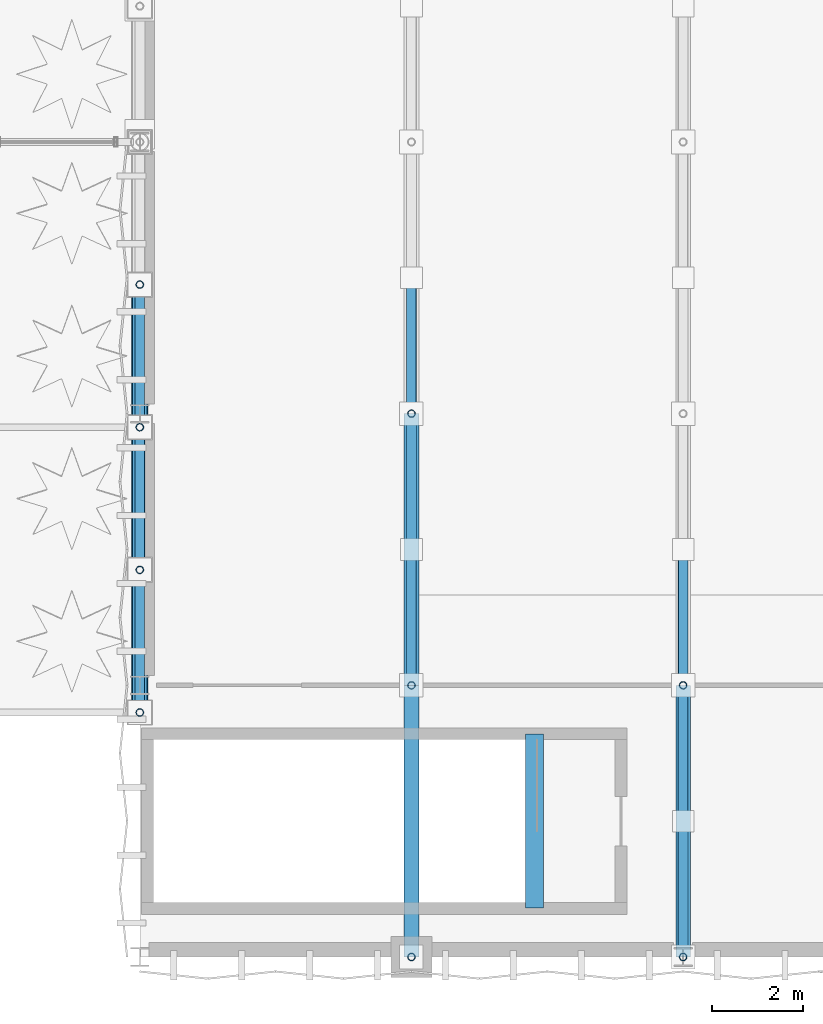
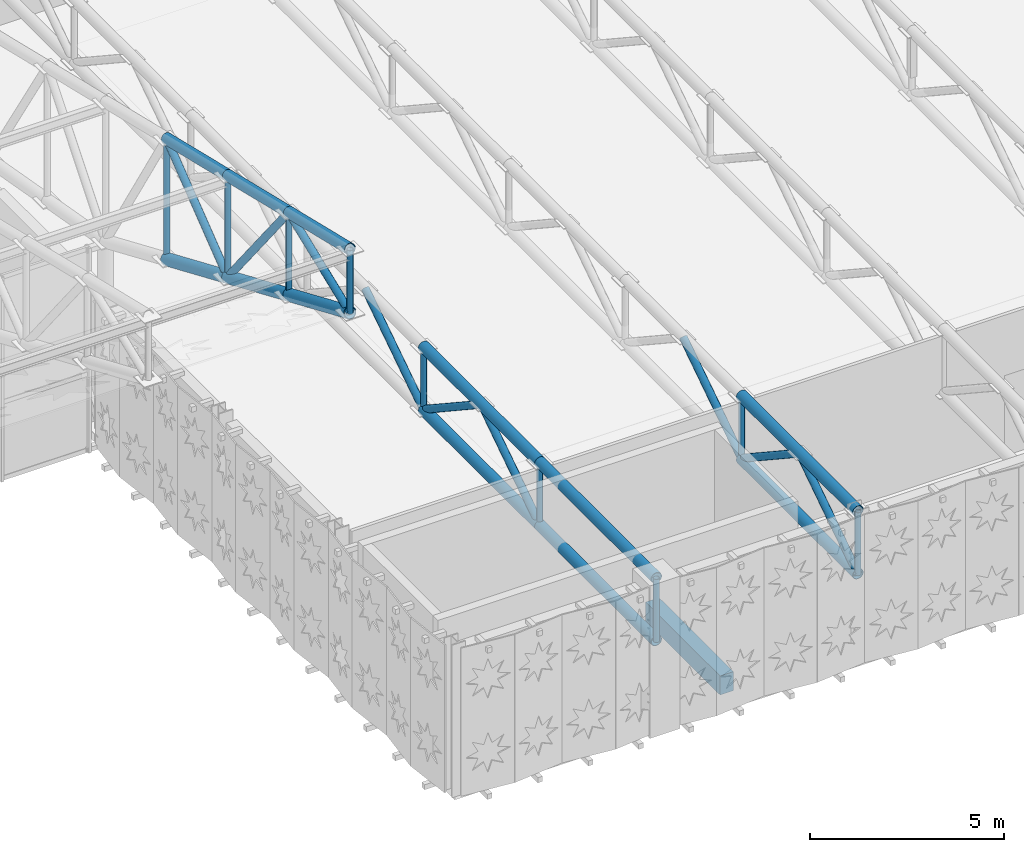
# One storey, part 22 of 123: 30 members, 1 beam.
"""IFC4 building model written with IfcOpenShell, lengths in metres."""

from ifc_helpers import new_model, si_unit, direction, frame, origin, origin_2d, place, context, subcontext, project, spatial, rectangle, hollow_circle, extrude, material, material_profile, profile_set, type_object, element, save


model = new_model("IFC4")

# Units and contexts
model_context = context("Model", 3, precision=1e-05, world=origin(), true_north=direction((0.0, 1.0)))
body_context = subcontext(model_context, "Body", "Model", "MODEL_VIEW")
ifc_project = project(units=[si_unit("LENGTHUNIT", "METRE"), si_unit("AREAUNIT", "SQUARE_METRE"), si_unit("VOLUMEUNIT", "CUBIC_METRE"), si_unit("PLANEANGLEUNIT", "RADIAN"), si_unit("MASSUNIT", "GRAM", prefix="KILO"), si_unit("THERMODYNAMICTEMPERATUREUNIT", "KELVIN"), si_unit("POWERUNIT", "WATT")], contexts=[model_context])

# Site, building, storey
site_placement = place(None, origin())
site = spatial("IfcSite", under=ifc_project, at=site_placement, CompositionType="ELEMENT")
building_placement = place(site_placement, origin())
building = spatial("IfcBuilding", under=site, at=building_placement, Name="Phaisarnlok Congress Hotel", CompositionType="ELEMENT")
storey_placement = place(building_placement, frame((0.0, 0.0, 15.0)))
storey = spatial("IfcBuildingStorey", under=building, at=storey_placement, Name="L03", CompositionType="ELEMENT", Elevation=15.0)

# Beam
ifc_material_1 = material(Name="Concrete C40/50", Category="concrete")
ifc_material_profile_1 = material_profile(ifc_material_1, rectangle(XDim=0.39990234375, YDim=0.60009765625, at=origin_2d()), Name="RC 400x600")
ifc_profile_set_1 = profile_set([ifc_material_profile_1], Name="Concrete C40/50")
beam_type = type_object("IfcBeamType", Name="BM-RC-400x600", PredefinedType="BEAM", material=ifc_profile_set_1)
beam_placement = place(storey_placement, frame((104.719970703125, 1.080078125, -0.300048828125), z_axis=(0.0, 1.0, 0.0), x_axis=(-1.0, 0.0, 0.0)))
element("IfcBeam", 1, at=beam_placement, inside=storey, type_object=beam_type, Name="Stair landing header beam B-02 (STAIR-S L03)", PredefinedType="BEAM", context=body_context, shape_type="SweptSolid", body=[
    extrude(rectangle(XDim=0.39990234375, YDim=0.60009765625, at=origin_2d()), origin(), (0.0, 0.0, 1.0), 3.83984375),
])

# Members
ifc_material_2 = material(Name="Steel S355", Category="steel")
ifc_material_profile_2 = material_profile(ifc_material_2, hollow_circle(Radius=0.084228515625, WallThickness=0.010009765625, at=origin_2d()), Name="CHS 168.3x10")
ifc_profile_set_2 = profile_set([ifc_material_profile_2], Name="Steel S355")
member_type_1 = type_object("IfcMemberType", Name="MEM-BRC-CHS168", PredefinedType="BRACE", material=ifc_profile_set_2)
for number, where, z_axis, x_axis, name in (
    (2, (102.0, 0.0, 2.64990234375), (0.0, 0.0, 1.0), (1.0, 0.0, 0.0), "Ballroom truss vertical web TB-01"),
    (3, (102.0, 6.0, 2.64990234375), (0.0, 0.0, 1.0), (1.0, 0.0, 0.0), "Ballroom truss vertical web TB-01"),
    (4, (102.0, 12.0, 2.64990234375), (0.0, 0.0, 1.0), (1.0, 0.0, 0.0), "Ballroom truss vertical web TB-01"),
    (5, (108.0, 0.0, 2.64990234375), (0.0, 0.0, 1.0), (1.0, 0.0, 0.0), "Ballroom truss vertical web TB-01"),
    (6, (108.0, 6.0, 2.64990234375), (0.0, 0.0, 1.0), (1.0, 0.0, 0.0), "Ballroom truss vertical web TB-01"),
):
    element("IfcMember", number, at=place(storey_placement, frame(where, z_axis=z_axis, x_axis=x_axis)), inside=storey, type_object=member_type_1, Name=name, PredefinedType="BRACE", context=body_context, shape_type="SweptSolid", body=[
        extrude(hollow_circle(Radius=0.084228515625, WallThickness=0.010009765625, at=origin_2d()), origin(), (0.0, 0.0, 1.0), 1.97998046875),
    ])
ifc_material_profile_3 = material_profile(ifc_material_2, hollow_circle(Radius=0.084228515625, WallThickness=0.010009765625, at=origin_2d()), Name="CHS 168.3x10")
ifc_profile_set_3 = profile_set([ifc_material_profile_3], Name="Steel S355")
member_type_2 = type_object("IfcMemberType", Name="MEM-BRC-CHS168-EXT", PredefinedType="BRACE", material=ifc_profile_set_3)
member_1_placement = place(storey_placement, frame((96.0, 14.85009765625, 7.75), z_axis=(0.0, 0.0, 1.0), x_axis=(1.0, 0.0, 0.0)))
element("IfcMember", 7, at=member_1_placement, inside=storey, type_object=member_type_2, Name="South wing roof truss vertical web", PredefinedType="BRACE", context=body_context, shape_type="SweptSolid", body=[
    extrude(hollow_circle(Radius=0.084228515625, WallThickness=0.010009765625, at=origin_2d()), origin(), (0.0, 0.0, 1.0), 3.79443359375),
])
member_2_placement = place(storey_placement, frame((96.0, 11.699951171875, 9.10009765625), z_axis=(0.0, 0.0, 1.0), x_axis=(1.0, 0.0, 0.0)))
element("IfcMember", 8, at=member_2_placement, inside=storey, type_object=member_type_2, Name="South wing roof truss vertical web", PredefinedType="BRACE", context=body_context, shape_type="SweptSolid", body=[
    extrude(hollow_circle(Radius=0.084228515625, WallThickness=0.010009765625, at=origin_2d()), origin(), (0.0, 0.0, 1.0), 3.1962890625),
])
member_3_placement = place(storey_placement, frame((96.0, 8.550048828125, 10.449951171875), z_axis=(0.0, 0.0, 1.0), x_axis=(1.0, 0.0, 0.0)))
element("IfcMember", 9, at=member_3_placement, inside=storey, type_object=member_type_2, Name="South wing roof truss vertical web", PredefinedType="BRACE", context=body_context, shape_type="SweptSolid", body=[
    extrude(hollow_circle(Radius=0.084228515625, WallThickness=0.010009765625, at=origin_2d()), origin(), (0.0, 0.0, 1.0), 2.59814453125),
])
member_4_placement = place(storey_placement, frame((96.0, 5.39990234375, 11.800048828125), z_axis=(0.0, 0.0, 1.0), x_axis=(1.0, 0.0, 0.0)))
element("IfcMember", 10, at=member_4_placement, inside=storey, type_object=member_type_2, Name="South wing roof truss vertical web", PredefinedType="BRACE", context=body_context, shape_type="SweptSolid", body=[
    extrude(hollow_circle(Radius=0.084228515625, WallThickness=0.010009765625, at=origin_2d()), origin(), (0.0, 0.0, 1.0), 2.0),
])
ifc_material_profile_4 = material_profile(ifc_material_2, hollow_circle(Radius=0.109619140625, WallThickness=0.012451171875, at=origin_2d()), Name="CHS 219.1x12.5")
ifc_profile_set_4 = profile_set([ifc_material_profile_4], Name="Steel S355")
member_type_3 = type_object("IfcMemberType", Name="MEM-BRC-CHS219", PredefinedType="BRACE", material=ifc_profile_set_4)
for number, where, z_axis, x_axis, name in (
    (11, (102.0, 6.0, 2.64990234375), (0.0, 0.834611904619, 0.550838423377), (-1.0, 0.0, 0.0), "Ballroom truss diagonal web TB-02"),
    (12, (102.0, 12.0, 2.64990234375), (0.0, -0.834611904619, 0.550838423377), (1.0, 0.0, 0.0), "Ballroom truss diagonal web TB-02"),
    (13, (102.0, 12.0, 2.64990234375), (0.0, 0.834611904619, 0.550838423377), (-1.0, 0.0, 0.0), "Ballroom truss diagonal web TB-02"),
    (14, (108.0, 0.0, 2.64990234375), (0.0, 0.834611904619, 0.550838423377), (-1.0, 0.0, 0.0), "Ballroom truss diagonal web TB-02"),
    (15, (108.0, 6.0, 2.64990234375), (0.0, -0.834611904619, 0.550838423377), (1.0, 0.0, 0.0), "Ballroom truss diagonal web TB-02"),
    (16, (108.0, 6.0, 2.64990234375), (0.0, 0.834611904619, 0.550838423377), (-1.0, 0.0, 0.0), "Ballroom truss diagonal web TB-02"),
):
    element("IfcMember", number, at=place(storey_placement, frame(where, z_axis=z_axis, x_axis=x_axis)), inside=storey, type_object=member_type_3, Name=name, PredefinedType="BRACE", context=body_context, shape_type="SweptSolid", body=[
        extrude(hollow_circle(Radius=0.109619140625, WallThickness=0.012451171875, at=origin_2d()), origin(), (0.0, 0.0, 1.0), 3.594482421875),
    ])
ifc_material_profile_5 = material_profile(ifc_material_2, hollow_circle(Radius=0.109619140625, WallThickness=0.012451171875, at=origin_2d()), Name="CHS 219.1x12.5")
ifc_profile_set_5 = profile_set([ifc_material_profile_5], Name="Steel S355")
member_type_4 = type_object("IfcMemberType", Name="MEM-BRC-CHS219-EXT", PredefinedType="BRACE", material=ifc_profile_set_5)
member_5_placement = place(storey_placement, frame((96.0, 11.699951171875, 9.10009765625), z_axis=(0.0, 0.790053964884, 0.613037301125), x_axis=(-1.0, 0.0, 0.0)))
element("IfcMember", 17, at=member_5_placement, inside=storey, type_object=member_type_4, Name="South wing roof truss diagonal brace", PredefinedType="BRACE", context=body_context, shape_type="SweptSolid", body=[
    extrude(hollow_circle(Radius=0.109619140625, WallThickness=0.012451171875, at=origin_2d()), origin(), (0.0, 0.0, 1.0), 3.9873046875),
])
member_6_placement = place(storey_placement, frame((96.0, 11.699951171875, 9.10009765625), z_axis=(0.0, -0.623668780247, 0.781688718445), x_axis=(1.0, 0.0, 0.0)))
element("IfcMember", 18, at=member_6_placement, inside=storey, type_object=member_type_4, Name="South wing roof truss diagonal brace", PredefinedType="BRACE", context=body_context, shape_type="SweptSolid", body=[
    extrude(hollow_circle(Radius=0.109619140625, WallThickness=0.012451171875, at=origin_2d()), origin(), (0.0, 0.0, 1.0), 5.050537109375),
])
member_7_placement = place(storey_placement, frame((96.0, 5.39990234375, 11.800048828125), z_axis=(0.0, 0.929694070323, 0.368332642602), x_axis=(-1.0, 0.0, 0.0)))
element("IfcMember", 19, at=member_7_placement, inside=storey, type_object=member_type_4, Name="South wing roof truss diagonal brace", PredefinedType="BRACE", context=body_context, shape_type="SweptSolid", body=[
    extrude(hollow_circle(Radius=0.109619140625, WallThickness=0.012451171875, at=origin_2d()), origin(), (0.0, 0.0, 1.0), 3.388427734375),
])
ifc_material_profile_6 = material_profile(ifc_material_2, hollow_circle(Radius=0.161865234375, WallThickness=0.01611328125, at=origin_2d()), Name="CHS 323.9x16")
ifc_profile_set_6 = profile_set([ifc_material_profile_6], Name="Steel S355")
member_type_5 = type_object("IfcMemberType", Name="MEM-CHD-CHS324", PredefinedType="CHORD", material=ifc_profile_set_6)
for number, where, z_axis, x_axis, name in (
    (20, (102.0, 0.0, 4.6298828125), (0.0, 1.0, 0.0), (-1.0, 0.0, 0.0), "Ballroom truss top chord TC-02"),
    (21, (102.0, 0.0, 2.64990234375), (0.0, 1.0, 0.0), (-1.0, 0.0, 0.0), "Ballroom truss bottom chord TC-02"),
    (22, (102.0, 6.0, 4.6298828125), (0.0, 1.0, 0.0), (-1.0, 0.0, 0.0), "Ballroom truss top chord TC-02"),
    (23, (102.0, 6.0, 2.64990234375), (0.0, 1.0, 0.0), (-1.0, 0.0, 0.0), "Ballroom truss bottom chord TC-02"),
    (24, (108.0, 0.0, 4.6298828125), (0.0, 1.0, 0.0), (-1.0, 0.0, 0.0), "Ballroom truss top chord TC-02"),
    (25, (108.0, 0.0, 2.64990234375), (0.0, 1.0, 0.0), (-1.0, 0.0, 0.0), "Ballroom truss bottom chord TC-02"),
):
    element("IfcMember", number, at=place(storey_placement, frame(where, z_axis=z_axis, x_axis=x_axis)), inside=storey, type_object=member_type_5, Name=name, PredefinedType="CHORD", context=body_context, shape_type="SweptSolid", body=[
        extrude(hollow_circle(Radius=0.161865234375, WallThickness=0.01611328125, at=origin_2d()), origin(), (0.0, 0.0, 1.0), 6.0),
    ])
ifc_material_profile_7 = material_profile(ifc_material_2, hollow_circle(Radius=0.161865234375, WallThickness=0.01611328125, at=origin_2d()), Name="CHS 323.9x16")
ifc_profile_set_7 = profile_set([ifc_material_profile_7], Name="Steel S355")
member_type_6 = type_object("IfcMemberType", Name="MEM-CHD-CHS324-EXT", PredefinedType="CHORD", material=ifc_profile_set_7)
member_8_placement = place(storey_placement, frame((96.0, 14.85009765625, 11.54443359375), z_axis=(0.0, -0.972672595385, 0.232181011686), x_axis=(1.0, 0.0, 0.0)))
element("IfcMember", 26, at=member_8_placement, inside=storey, type_object=member_type_6, Name="South wing roof truss top chord", PredefinedType="CHORD", context=body_context, shape_type="SweptSolid", body=[
    extrude(hollow_circle(Radius=0.161865234375, WallThickness=0.01611328125, at=origin_2d()), origin(), (0.0, 0.0, 1.0), 3.23876953125),
])
member_9_placement = place(storey_placement, frame((96.0, 11.699951171875, 12.29638671875), z_axis=(0.0, -0.972685555578, 0.232126711023), x_axis=(1.0, 0.0, 0.0)))
element("IfcMember", 27, at=member_9_placement, inside=storey, type_object=member_type_6, Name="South wing roof truss top chord", PredefinedType="CHORD", context=body_context, shape_type="SweptSolid", body=[
    extrude(hollow_circle(Radius=0.161865234375, WallThickness=0.01611328125, at=origin_2d()), origin(), (0.0, 0.0, 1.0), 3.23828125),
])
member_10_placement = place(storey_placement, frame((96.0, 8.550048828125, 13.048095703125), z_axis=(0.0, -0.972672595385, 0.232181011686), x_axis=(1.0, 0.0, 0.0)))
element("IfcMember", 28, at=member_10_placement, inside=storey, type_object=member_type_6, Name="South wing roof truss top chord", PredefinedType="CHORD", context=body_context, shape_type="SweptSolid", body=[
    extrude(hollow_circle(Radius=0.161865234375, WallThickness=0.01611328125, at=origin_2d()), origin(), (0.0, 0.0, 1.0), 3.23876953125),
])
ifc_material_profile_8 = material_profile(ifc_material_2, hollow_circle(Radius=0.177734375, WallThickness=0.02001953125, at=origin_2d()), Name="CHS 355.6x20")
ifc_profile_set_8 = profile_set([ifc_material_profile_8], Name="Steel S355")
member_type_7 = type_object("IfcMemberType", Name="MEM-CHD-CHS356-EXT", PredefinedType="CHORD", material=ifc_profile_set_8)
member_11_placement = place(storey_placement, frame((96.0, 14.85009765625, 7.75), z_axis=(0.0, -0.919141345424, 0.393927895853), x_axis=(1.0, 0.0, 0.0)))
element("IfcMember", 29, at=member_11_placement, inside=storey, type_object=member_type_7, Name="South wing roof truss bottom chord", PredefinedType="CHORD", context=body_context, shape_type="SweptSolid", body=[
    extrude(hollow_circle(Radius=0.177734375, WallThickness=0.02001953125, at=origin_2d()), origin(), (0.0, 0.0, 1.0), 3.42724609375),
])
member_12_placement = place(storey_placement, frame((96.0, 11.699951171875, 9.10009765625), z_axis=(0.0, -0.919156084351, 0.393893504137), x_axis=(1.0, 0.0, 0.0)))
element("IfcMember", 30, at=member_12_placement, inside=storey, type_object=member_type_7, Name="South wing roof truss bottom chord", PredefinedType="CHORD", context=body_context, shape_type="SweptSolid", body=[
    extrude(hollow_circle(Radius=0.177734375, WallThickness=0.02001953125, at=origin_2d()), origin(), (0.0, 0.0, 1.0), 3.427001953125),
])
member_13_placement = place(storey_placement, frame((96.0, 8.550048828125, 10.449951171875), z_axis=(0.0, -0.919141345424, 0.393927895853), x_axis=(1.0, 0.0, 0.0)))
element("IfcMember", 31, at=member_13_placement, inside=storey, type_object=member_type_7, Name="South wing roof truss bottom chord", PredefinedType="CHORD", context=body_context, shape_type="SweptSolid", body=[
    extrude(hollow_circle(Radius=0.177734375, WallThickness=0.02001953125, at=origin_2d()), origin(), (0.0, 0.0, 1.0), 3.42724609375),
])

save(model, "model.ifc")
